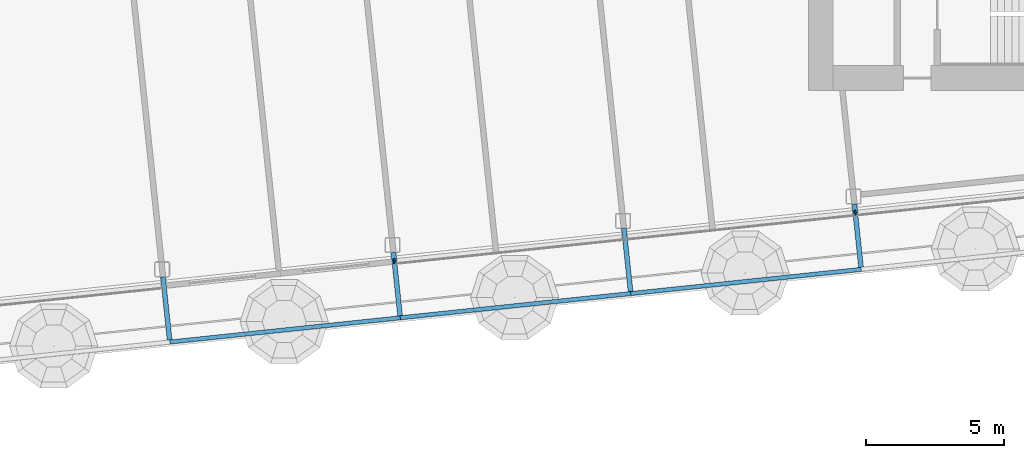
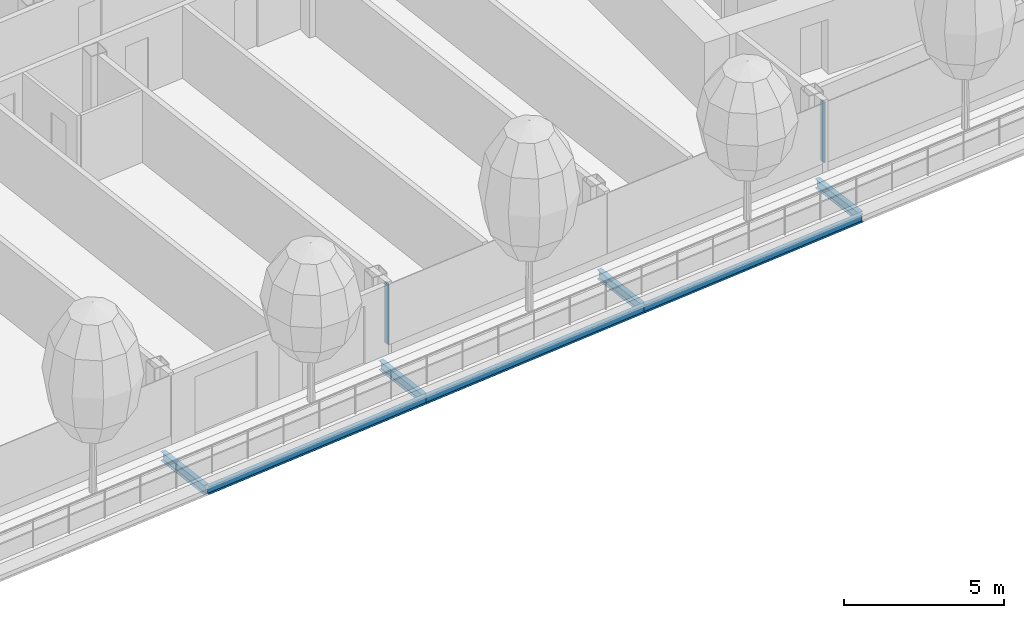
# One storey, part 5 of 30: 7 beams, 2 members, 1 element without a shape of its own.
"""IFC4 building model written with IfcOpenShell, lengths in metres."""

from ifc_helpers import new_model, si_unit, direction, frame, origin, origin_2d, place, context, subcontext, project, spatial, rectangle, i_section, extrude, material, layer, layer_set, material_profile, profile_set, type_object, element, aggregate, save


model = new_model("IFC4")

# Units and contexts
model_context = context("Model", 3, precision=1e-05, world=origin(), true_north=direction((0.0, 1.0)))
body_context = subcontext(model_context, "Body", "Model", "MODEL_VIEW")
ifc_project = project(units=[si_unit("LENGTHUNIT", "METRE"), si_unit("AREAUNIT", "SQUARE_METRE"), si_unit("VOLUMEUNIT", "CUBIC_METRE"), si_unit("PLANEANGLEUNIT", "RADIAN"), si_unit("MASSUNIT", "GRAM", prefix="KILO")], contexts=[model_context])

# Site, building, storey
site_placement = place(None, origin())
site = spatial("IfcSite", under=ifc_project, at=site_placement, CompositionType="ELEMENT")
building_placement = place(site_placement, origin())
building = spatial("IfcBuilding", under=site, at=building_placement, Name="Hakoniwa Tower and Hamabe Station Hall", CompositionType="ELEMENT")
storey_placement = place(building_placement, frame((0.0, 0.0, 245.39990234375)))
storey = spatial("IfcBuildingStorey", under=building, at=storey_placement, Name="L69", CompositionType="ELEMENT", Elevation=245.39990234375)

# Beams
ifc_material_1 = material(Name="Steel SN490B", Category="steel")
ifc_material_profile_1 = material_profile(ifc_material_1, i_section(OverallWidth=0.175048828125, OverallDepth=0.35009765625, WebThickness=0.007080078125, FlangeThickness=0.010986328125, FilletRadius=0.013916015625, at=origin_2d()), Name="H-350x175x7x11")
ifc_profile_set_1 = profile_set([ifc_material_profile_1], Name="Steel SN490B")
beam_type_1 = type_object("IfcBeamType", Name="BALCONY BRACKET H-350x175x7x11", PredefinedType="BEAM", material=ifc_profile_set_1)
for number, where, z_axis, x_axis, name in (
    (1, (-6.590087890625, -15.16064453125, -0.625), (0.104557694553, -0.994518822602, 0.0), (0.994518822602, 0.104557694553, 0.0), "Balcony bracket B5-6-A5"),
    (2, (1.763916015625, -14.28271484375, -0.625), (0.104557694553, -0.994518822602, 0.0), (0.994518822602, 0.104557694553, 0.0), "Balcony bracket B5-7-A5"),
    (3, (10.117919921875, -13.404541015625, -0.625), (0.104557694553, -0.994518822602, 0.0), (0.994518822602, 0.104557694553, 0.0), "Balcony bracket B5-8-A5"),
    (4, (18.471923828125, -12.526611328125, -0.625), (0.104557694553, -0.994518822602, 0.0), (0.994518822602, 0.104557694553, 0.0), "Balcony bracket B5-9-A5"),
):
    element("IfcBeam", number, at=place(storey_placement, frame(where, z_axis=z_axis, x_axis=x_axis)), inside=storey, type_object=beam_type_1, Name=name, PredefinedType="BEAM", context=body_context, shape_type="SweptSolid", body=[
        extrude(i_section(OverallWidth=0.175048828125, OverallDepth=0.35009765625, WebThickness=0.007080078125, FlangeThickness=0.010986328125, FilletRadius=0.013916015625, at=origin_2d()), origin(), (0.0, 0.0, 1.0), 2.300048828125),
    ])
ifc_material_2 = material(Name="Steel SN490B", Category="steel")
ifc_material_profile_2 = material_profile(ifc_material_2, i_section(OverallWidth=0.14990234375, OverallDepth=0.300048828125, WebThickness=0.006591796875, FlangeThickness=0.009033203125, FilletRadius=0.012939453125, at=origin_2d()), Name="H-300x150x6.5x9")
ifc_profile_set_2 = profile_set([ifc_material_profile_2], Name="Steel SN490B")
beam_type_2 = type_object("IfcBeamType", Name="BALCONY EDGE BEAM H-300x150x6.5x9", PredefinedType="BEAM", material=ifc_profile_set_2)
beam_1_placement = place(storey_placement, frame((-6.341796875, -17.522705078125, -0.599853515625), z_axis=(0.994520253788, 0.104544080685, 0.0), x_axis=(-0.104544080685, 0.994520253788, 0.0)))
element("IfcBeam", 5, at=beam_1_placement, inside=storey, type_object=beam_type_2, Name="Balcony edge beam B5-6-A5-B5-7-A5", PredefinedType="BEAM", context=body_context, shape_type="SweptSolid", body=[
    extrude(i_section(OverallWidth=0.14990234375, OverallDepth=0.300048828125, WebThickness=0.006591796875, FlangeThickness=0.009033203125, FilletRadius=0.012939453125, at=origin_2d()), origin(), (0.0, 0.0, 1.0), 8.400146484375),
])
beam_2_placement = place(storey_placement, frame((2.01220703125, -16.64453125, -0.599853515625), z_axis=(0.994523275226, 0.104515333968, 0.0), x_axis=(-0.104515333968, 0.994523275226, 0.0)))
element("IfcBeam", 6, at=beam_2_placement, inside=storey, type_object=beam_type_2, Name="Balcony edge beam B5-7-A5-B5-8-A5", PredefinedType="BEAM", context=body_context, shape_type="SweptSolid", body=[
    extrude(i_section(OverallWidth=0.14990234375, OverallDepth=0.300048828125, WebThickness=0.006591796875, FlangeThickness=0.009033203125, FilletRadius=0.012939453125, at=origin_2d()), origin(), (0.0, 0.0, 1.0), 8.39990234375),
])
beam_3_placement = place(storey_placement, frame((10.3662109375, -15.7666015625, -0.599853515625), z_axis=(0.994520253788, 0.104544080685, 0.0), x_axis=(-0.104544080685, 0.994520253788, 0.0)))
element("IfcBeam", 7, at=beam_3_placement, inside=storey, type_object=beam_type_2, Name="Balcony edge beam B5-8-A5-B5-9-A5", PredefinedType="BEAM", context=body_context, shape_type="SweptSolid", body=[
    extrude(i_section(OverallWidth=0.14990234375, OverallDepth=0.300048828125, WebThickness=0.006591796875, FlangeThickness=0.009033203125, FilletRadius=0.012939453125, at=origin_2d()), origin(), (0.0, 0.0, 1.0), 8.400146484375),
])

# Curtain wall, members
ifc_material_3 = material(Name="Dark low-e laminated glass", Category="glass")
ifc_layer = layer(ifc_material_3, 0.199951171875)
ifc_layer_set = layer_set([ifc_layer], Name="CW-1 UNITISED GUEST")
curtain_wall_type = type_object("IfcCurtainWallType", Name="CW-1 UNITISED GUEST", PredefinedType="NOTDEFINED", material=ifc_layer_set)
curtain_wall_placement = place(storey_placement, origin())
curtain_wall = element("IfcCurtainWall", 8, at=curtain_wall_placement, inside=storey, type_object=curtain_wall_type, Name="CW-1 curtain wall", PredefinedType="NOTDEFINED")
ifc_material_4 = material(Name="Aluminium 6063-T5 black anodised", Category="aluminium")
ifc_material_profile_3 = material_profile(ifc_material_4, rectangle(XDim=0.06005859375, YDim=0.179931640625, at=origin_2d()), Name="CW-1 MULLION 60X180")
ifc_profile_set_3 = profile_set([ifc_material_profile_3], Name="Aluminium 6063-T5 black anodised")
member_type = type_object("IfcMemberType", Name="CW-1 MULLION 60X180", PredefinedType="MULLION", material=ifc_profile_set_3)
member_1_placement = place(storey_placement, frame((1.7958984375, -14.587890625, 0.35009765625), z_axis=(0.0, 0.0, 1.0), x_axis=(0.994521895272, 0.104528464188, 0.0)))
member_1 = element("IfcMember", 9, at=member_1_placement, type_object=member_type, Name="CW-1 mullion", PredefinedType="MULLION", context=body_context, shape_type="SweptSolid", body=[
    extrude(rectangle(XDim=0.06005859375, YDim=0.179931640625, at=origin_2d()), origin(), (0.0, 0.0, 1.0), 2.300048828125),
])
member_2_placement = place(storey_placement, frame((18.50390625, -12.831787109375, 0.35009765625), z_axis=(0.0, 0.0, 1.0), x_axis=(0.994521895272, 0.104528464188, 0.0)))
member_2 = element("IfcMember", 10, at=member_2_placement, type_object=member_type, Name="CW-1 mullion", PredefinedType="MULLION", context=body_context, shape_type="SweptSolid", body=[
    extrude(rectangle(XDim=0.06005859375, YDim=0.179931640625, at=origin_2d()), origin(), (0.0, 0.0, 1.0), 2.300048828125),
])
aggregate(curtain_wall, [member_1, member_2])

save(model, "model.ifc")
